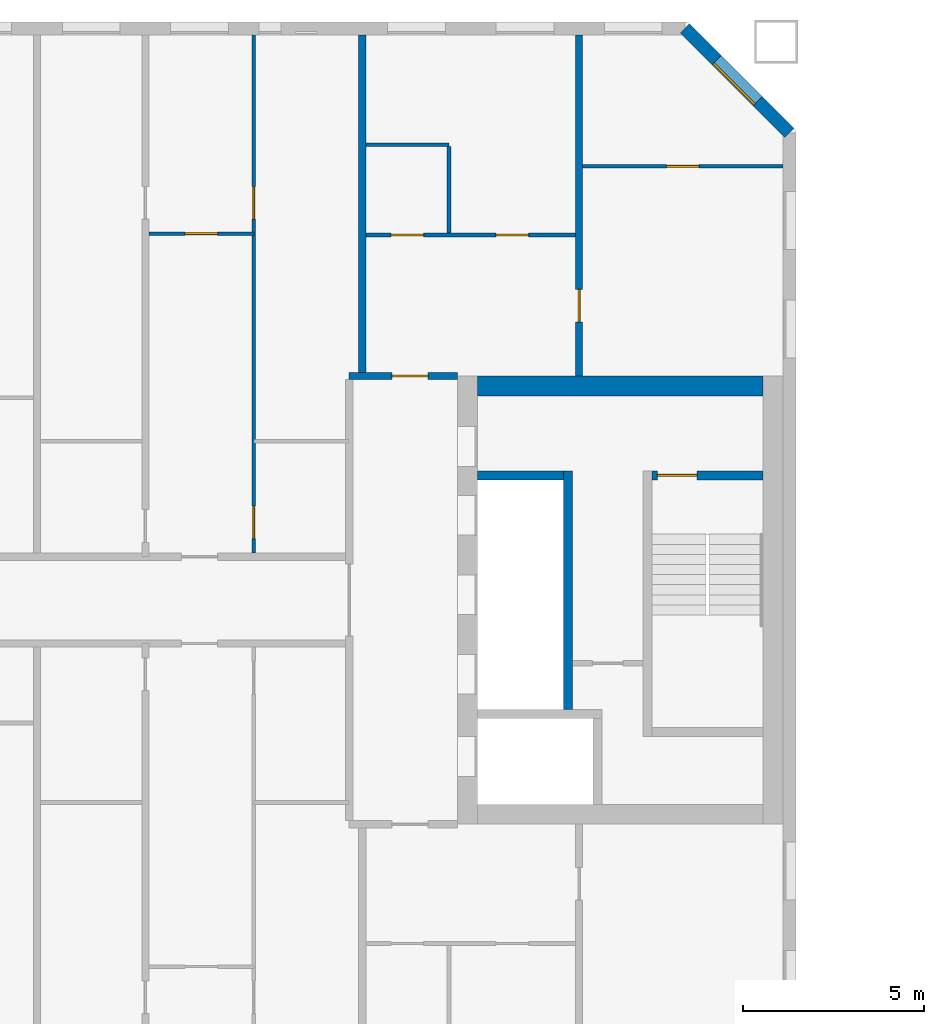
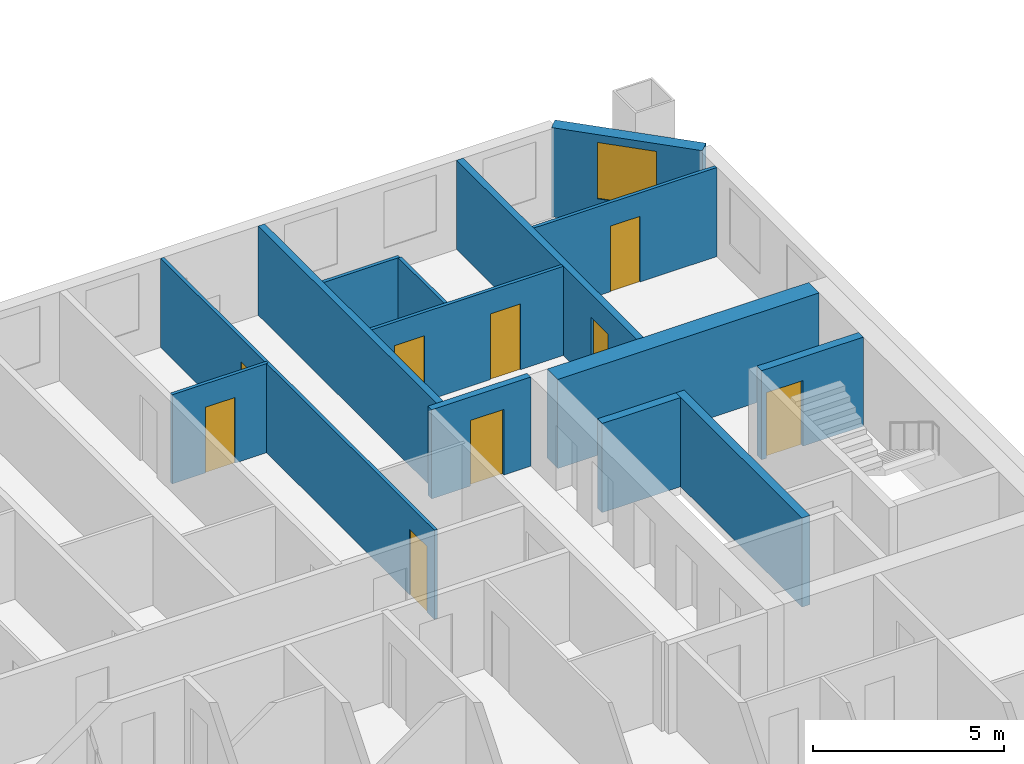
# One storey, part 8 of 16: 14 walls, 9 doors, 1 window, 10 openings.
"""IFC4 building model written with IfcOpenShell, lengths in metres."""

from ifc_helpers import new_model, si_unit, direction, frame, frame_2d, origin, place, context, subcontext, project, spatial, rectangle, extrude, material, layer, layer_set, type_object, element, fill, save


model = new_model("IFC4")

# Units and contexts
model_context = context("Model", 3, precision=1e-05, world=origin(), true_north=direction((0.0, 1.0)))
body_context = subcontext(model_context, "Body", "Model", "MODEL_VIEW")
ifc_project = project(units=[si_unit("LENGTHUNIT", "METRE"), si_unit("AREAUNIT", "SQUARE_METRE"), si_unit("VOLUMEUNIT", "CUBIC_METRE"), si_unit("PLANEANGLEUNIT", "RADIAN"), si_unit("MASSUNIT", "GRAM", prefix="KILO")], contexts=[model_context])

# Site, building, storey
site_placement = place(None, origin())
site = spatial("IfcSite", under=ifc_project, at=site_placement, CompositionType="ELEMENT")
building_placement = place(site_placement, origin())
building = spatial("IfcBuilding", under=site, at=building_placement, Name="Tuart Gate Housing", CompositionType="ELEMENT")
storey_placement = place(building_placement, frame((0.0, 0.0, 129.89990234375)))
storey = spatial("IfcBuildingStorey", under=building, at=storey_placement, Name="L36", CompositionType="ELEMENT", Elevation=129.89990234375)

# Wall, opening, window
ifc_material_1 = material(Name="Brick", Category="masonry")
ifc_layer_1 = layer(ifc_material_1, 0.360107421875)
ifc_layer_set_1 = layer_set([ifc_layer_1], Name="Brick pier and spandrel wall 360")
wall_type_1 = type_object("IfcWallType", Name="Brick pier and spandrel wall 360", PredefinedType="STANDARD", material=ifc_layer_set_1)
wall_1_placement = place(storey_placement, frame((75.820068359375, 82.92529296875, 0.0), z_axis=(0.0, 0.0, 1.0), x_axis=(-0.707106781187, 0.707106781187, 0.0)))
wall_1 = element("IfcWall", 1, at=wall_1_placement, inside=storey, type_object=wall_type_1, Name="External wall A-NE L36", PredefinedType="STANDARD", context=body_context, shape_type="SweptSolid", body=[
    extrude(rectangle(XDim=4.09375, YDim=0.360107421875, at=frame_2d((2.046875, 0.0))), origin(), (0.0, 0.0, 1.0), 2.85009765625),
])
opening_1_placement = place(wall_1_placement, frame((1.2470703125, 0.0, 0.800048828125)))
opening_1 = element("IfcOpeningElement", 2, at=opening_1_placement, cuts=wall_1, Name="Opening W1", PredefinedType="OPENING", context=body_context, shape_type="SweptSolid", body=[
    extrude(rectangle(XDim=1.60009765625, YDim=1.800048828125, at=frame_2d((0.800048828125, 0.89990234375))), frame((0.0, 0.18994140625, 0.0), z_axis=(0.0, -1.0, 0.0), x_axis=(1.0, 0.0, 0.0)), (0.0, 0.0, 1.0), 0.380126953125),
])
ifc_material_2 = material(Name="Aluminium frame with clear glass", Category="aluminium")
window_type = type_object("IfcWindowType", Name="Punched window 1600 x 1800", PartitioningType="SINGLE_PANEL", PredefinedType="WINDOW", material=ifc_material_2)
window_placement = place(opening_1_placement, origin())
window = element("IfcWindow", 3, at=window_placement, inside=storey, type_object=window_type, Name="Window W1", OverallHeight=1.800048828125, OverallWidth=1.60009765625, PartitioningType="SINGLE_PANEL", PredefinedType="WINDOW", context=body_context, shape_type="SweptSolid", body=[
    extrude(rectangle(XDim=1.60009765625, YDim=1.800048828125, at=frame_2d((0.800048828125, 0.89990234375))), frame((0.0, 0.150146484375, 0.0), z_axis=(0.0, -1.0, 0.0), x_axis=(1.0, 0.0, 0.0)), (0.0, 0.0, 1.0), 0.06005859375),
])
fill(opening_1, window)

# Wall
ifc_material_3 = material(Name="Concrete C50", Category="concrete")
ifc_layer_2 = layer(ifc_material_3, 0.25)
ifc_layer_set_2 = layer_set([ifc_layer_2], Name="Core wall 250 C50")
wall_type_2 = type_object("IfcWallType", Name="Core wall 250 C50", PredefinedType="SHEAR", material=ifc_layer_set_2)
wall_2_placement = place(storey_placement, frame((67.18994140625, 73.449951171875, 0.0), z_axis=(0.0, 0.0, 1.0), x_axis=(1.0, 0.0, 0.0)))
element("IfcWall", 4, at=wall_2_placement, inside=storey, type_object=wall_type_2, Name="Core wall AG.4", PredefinedType="SHEAR", context=body_context, shape_type="SweptSolid", body=[
    extrude(rectangle(XDim=2.375, YDim=0.25, at=frame_2d((1.1875, 0.0))), origin(), (0.0, 0.0, 1.0), 2.85009765625),
])

# Wall, opening, door
wall_3_placement = place(storey_placement, frame((72.014892578125, 73.449951171875, 0.0), z_axis=(0.0, 0.0, 1.0), x_axis=(1.0, 0.0, 0.0)))
wall_3 = element("IfcWall", 5, at=wall_3_placement, inside=storey, type_object=wall_type_2, Name="Core wall AG.5", PredefinedType="SHEAR", context=body_context, shape_type="SweptSolid", body=[
    extrude(rectangle(XDim=3.0751953125, YDim=0.25, at=frame_2d((1.53759765625, 0.0))), origin(), (0.0, 0.0, 1.0), 2.85009765625),
])
opening_2_placement = place(wall_3_placement, frame((0.14990234375, 0.0, 0.0)))
opening_2 = element("IfcOpeningElement", 6, at=opening_2_placement, cuts=wall_3, Name="Opening D1313", PredefinedType="OPENING", context=body_context, shape_type="SweptSolid", body=[
    extrude(rectangle(XDim=1.10009765625, YDim=2.10009765625, at=frame_2d((0.550048828125, 1.050048828125))), frame((0.0, 0.135009765625, 0.0), z_axis=(0.0, -1.0, 0.0), x_axis=(1.0, 0.0, 0.0)), (0.0, 0.0, 1.0), 0.27001953125),
])
ifc_material_4 = material(Name="Steel fire door", Category="steel")
door_type_1 = type_object("IfcDoorType", Name="Stair door 1100 x 2100 RH", OperationType="SINGLE_SWING_RIGHT", PredefinedType="DOOR", material=ifc_material_4)
door_1_placement = place(opening_2_placement, frame((1.10009765625, 0.0, 0.0), z_axis=(0.0, 0.0, 1.0), x_axis=(-1.0, 0.0, 0.0)))
door_1 = element("IfcDoor", 7, at=door_1_placement, inside=storey, type_object=door_type_1, Name="Stair door AG.SD", OperationType="SINGLE_SWING_RIGHT", OverallHeight=2.10009765625, OverallWidth=1.10009765625, PredefinedType="DOOR", context=body_context, shape_type="SweptSolid", body=[
    extrude(rectangle(XDim=1.10009765625, YDim=2.10009765625, at=frame_2d((0.550048828125, 1.050048828125))), frame((0.0, 0.025146484375, 0.0), z_axis=(0.0, -1.0, 0.0), x_axis=(1.0, 0.0, 0.0)), (0.0, 0.0, 1.0), 0.050048828125),
])
fill(opening_2, door_1)

# Walls
wall_4_placement = place(storey_placement, frame((69.68994140625, 66.97509765625, 0.0), z_axis=(0.0, 0.0, 1.0), x_axis=(0.0, 1.0, 0.0)))
element("IfcWall", 8, at=wall_4_placement, inside=storey, type_object=wall_type_2, Name="Core wall AG.6", PredefinedType="SHEAR", context=body_context, shape_type="SweptSolid", body=[
    extrude(rectangle(XDim=6.599853515625, YDim=0.25, at=frame_2d((3.2998046875, 0.0))), origin(), (0.0, 0.0, 1.0), 2.85009765625),
])
ifc_material_5 = material(Name="Concrete C50", Category="concrete")
ifc_layer_3 = layer(ifc_material_5, 0.550048828125)
ifc_layer_set_3 = layer_set([ifc_layer_3], Name="Core wall 550 C50")
wall_type_3 = type_object("IfcWallType", Name="Core wall 550 C50", PredefinedType="SHEAR", material=ifc_layer_set_3)
wall_5_placement = place(storey_placement, frame((67.18994140625, 75.925048828125, 0.0), z_axis=(0.0, 0.0, 1.0), x_axis=(1.0, 0.0, 0.0)))
element("IfcWall", 9, at=wall_5_placement, inside=storey, type_object=wall_type_3, Name="Core wall AG north", PredefinedType="SHEAR", context=body_context, shape_type="SweptSolid", body=[
    extrude(rectangle(XDim=7.900146484375, YDim=0.550048828125, at=frame_2d((3.9501953125, 0.0))), origin(), (0.0, 0.0, 1.0), 2.85009765625),
])

# Wall, opening, door
ifc_material_6 = material(Name="Concrete masonry 15 MPa", Category="masonry")
ifc_layer_4 = layer(ifc_material_6, 0.199951171875)
ifc_layer_set_4 = layer_set([ifc_layer_4], Name="Enclosure wall masonry 200")
wall_type_4 = type_object("IfcWallType", Name="Enclosure wall masonry 200", PredefinedType="PARTITIONING", material=ifc_layer_set_4)
wall_6_placement = place(storey_placement, frame((63.639892578125, 76.199951171875, 0.0), z_axis=(0.0, 0.0, 1.0), x_axis=(1.0, 0.0, 0.0)))
wall_6 = element("IfcWall", 10, at=wall_6_placement, inside=storey, type_object=wall_type_4, Name="Enclosure wall masonry 200", PredefinedType="PARTITIONING", context=body_context, shape_type="SweptSolid", body=[
    extrude(rectangle(XDim=3.0, YDim=0.199951171875, at=frame_2d((1.5, 0.0))), origin(), (0.0, 0.0, 1.0), 2.85009765625),
])
opening_3_placement = place(wall_6_placement, frame((1.179931640625, 0.0, 0.0)))
opening_3 = element("IfcOpeningElement", 11, at=opening_3_placement, cuts=wall_6, Name="Opening D1311", PredefinedType="OPENING", context=body_context, shape_type="SweptSolid", body=[
    extrude(rectangle(XDim=1.0, YDim=2.10009765625, at=frame_2d((0.5, 1.050048828125))), frame((0.0, 0.10986328125, 0.0), z_axis=(0.0, -1.0, 0.0), x_axis=(1.0, 0.0, 0.0)), (0.0, 0.0, 1.0), 0.219970703125),
])
ifc_material_7 = material(Name="Timber door leaf in steel frame", Category="steel")
door_type_2 = type_object("IfcDoorType", Name="Flat entrance door 1000", OperationType="SINGLE_SWING_LEFT", PredefinedType="DOOR", material=ifc_material_7)
door_2_placement = place(opening_3_placement, origin())
door_2 = element("IfcDoor", 12, at=door_2_placement, inside=storey, type_object=door_type_2, Name="Flat entrance door", OperationType="SINGLE_SWING_LEFT", OverallHeight=2.10009765625, OverallWidth=1.0, PredefinedType="DOOR", context=body_context, shape_type="SweptSolid", body=[
    extrude(rectangle(XDim=1.0, YDim=2.10009765625, at=frame_2d((0.5, 1.050048828125))), frame((0.0, 0.02490234375, 0.0), z_axis=(0.0, -1.0, 0.0), x_axis=(1.0, 0.0, 0.0)), (0.0, 0.0, 1.0), 0.050048828125),
])
fill(opening_3, door_2)

# Wall, openings, doors
ifc_material_8 = material(Name="Gypsum board on steel studs", Category="steel")
ifc_layer_5 = layer(ifc_material_8, 0.10009765625)
ifc_layer_set_5 = layer_set([ifc_layer_5], Name="Partition 100")
wall_type_5 = type_object("IfcWallType", Name="Partition 100", PredefinedType="PARTITIONING", material=ifc_layer_set_5)
wall_7_placement = place(storey_placement, frame((64.10009765625, 80.10009765625, 0.0), z_axis=(0.0, 0.0, 1.0), x_axis=(1.0, 0.0, 0.0)))
wall_7 = element("IfcWall", 13, at=wall_7_placement, inside=storey, type_object=wall_type_5, Name="Partition 100", PredefinedType="PARTITIONING", context=body_context, shape_type="SweptSolid", body=[
    extrude(rectangle(XDim=5.7998046875, YDim=0.10009765625, at=frame_2d((2.89990234375, 0.0))), origin(), (0.0, 0.0, 1.0), 2.85009765625),
])
opening_4_placement = place(wall_7_placement, frame((3.60009765625, 0.0, 0.0)))
opening_4 = element("IfcOpeningElement", 14, at=opening_4_placement, cuts=wall_7, Name="Opening D1297", PredefinedType="OPENING", context=body_context, shape_type="SweptSolid", body=[
    extrude(rectangle(XDim=0.89990234375, YDim=2.10009765625, at=frame_2d((0.449951171875, 1.050048828125))), frame((0.0, 0.06005859375, 0.0), z_axis=(0.0, -1.0, 0.0), x_axis=(1.0, 0.0, 0.0)), (0.0, 0.0, 1.0), 0.1201171875),
])
opening_5_placement = place(wall_7_placement, frame((0.699951171875, 0.0, 0.0)))
opening_5 = element("IfcOpeningElement", 15, at=opening_5_placement, cuts=wall_7, Name="Opening D1296", PredefinedType="OPENING", context=body_context, shape_type="SweptSolid", body=[
    extrude(rectangle(XDim=0.89990234375, YDim=2.10009765625, at=frame_2d((0.449951171875, 1.050048828125))), frame((0.0, 0.06005859375, 0.0), z_axis=(0.0, -1.0, 0.0), x_axis=(1.0, 0.0, 0.0)), (0.0, 0.0, 1.0), 0.1201171875),
])
ifc_material_9 = material(Name="Timber door leaf in steel frame", Category="steel")
door_type_3 = type_object("IfcDoorType", Name="Bathroom door 900 RH", OperationType="SINGLE_SWING_RIGHT", PredefinedType="DOOR", material=ifc_material_9)
door_3_placement = place(opening_5_placement, origin())
door_3 = element("IfcDoor", 16, at=door_3_placement, inside=storey, type_object=door_type_3, Name="Bathroom door", OperationType="SINGLE_SWING_RIGHT", OverallHeight=2.10009765625, OverallWidth=0.89990234375, PredefinedType="DOOR", context=body_context, shape_type="SweptSolid", body=[
    extrude(rectangle(XDim=0.89990234375, YDim=2.10009765625, at=frame_2d((0.449951171875, 1.050048828125))), frame((0.0, 0.02490234375, 0.0), z_axis=(0.0, -1.0, 0.0), x_axis=(1.0, 0.0, 0.0)), (0.0, 0.0, 1.0), 0.050048828125),
])
fill(opening_5, door_3)
ifc_material_10 = material(Name="Timber door leaf in steel frame", Category="steel")
door_type_4 = type_object("IfcDoorType", Name="Internal door 900", OperationType="SINGLE_SWING_LEFT", PredefinedType="DOOR", material=ifc_material_10)
door_4_placement = place(opening_4_placement, origin())
door_4 = element("IfcDoor", 17, at=door_4_placement, inside=storey, type_object=door_type_4, Name="Internal door", OperationType="SINGLE_SWING_LEFT", OverallHeight=2.10009765625, OverallWidth=0.89990234375, PredefinedType="DOOR", context=body_context, shape_type="SweptSolid", body=[
    extrude(rectangle(XDim=0.89990234375, YDim=2.10009765625, at=frame_2d((0.449951171875, 1.050048828125))), frame((0.0, 0.02490234375, 0.0), z_axis=(0.0, -1.0, 0.0), x_axis=(1.0, 0.0, 0.0)), (0.0, 0.0, 1.0), 0.050048828125),
])
fill(opening_4, door_4)

# Wall, opening, door
wall_8_placement = place(storey_placement, frame((58.10009765625, 80.139892578125, 0.0), z_axis=(0.0, 0.0, 1.0), x_axis=(1.0, 0.0, 0.0)))
wall_8 = element("IfcWall", 18, at=wall_8_placement, inside=storey, type_object=wall_type_5, Name="Partition 100", PredefinedType="PARTITIONING", context=body_context, shape_type="SweptSolid", body=[
    extrude(rectangle(XDim=2.89990234375, YDim=0.10009765625, at=frame_2d((1.449951171875, 0.0))), origin(), (0.0, 0.0, 1.0), 2.85009765625),
])
opening_6_placement = place(wall_8_placement, frame((1.0, 0.0, 0.0)))
opening_6 = element("IfcOpeningElement", 19, at=opening_6_placement, cuts=wall_8, Name="Opening D1293", PredefinedType="OPENING", context=body_context, shape_type="SweptSolid", body=[
    extrude(rectangle(XDim=0.89990234375, YDim=2.10009765625, at=frame_2d((0.449951171875, 1.050048828125))), frame((0.0, 0.06005859375, 0.0), z_axis=(0.0, -1.0, 0.0), x_axis=(1.0, 0.0, 0.0)), (0.0, 0.0, 1.0), 0.1201171875),
])
door_5_placement = place(opening_6_placement, frame((0.89990234375, 0.0, 0.0), z_axis=(0.0, 0.0, 1.0), x_axis=(-1.0, 0.0, 0.0)))
door_5 = element("IfcDoor", 20, at=door_5_placement, inside=storey, type_object=door_type_4, Name="Internal door", OperationType="SINGLE_SWING_LEFT", OverallHeight=2.10009765625, OverallWidth=0.89990234375, PredefinedType="DOOR", context=body_context, shape_type="SweptSolid", body=[
    extrude(rectangle(XDim=0.89990234375, YDim=2.10009765625, at=frame_2d((0.449951171875, 1.050048828125))), frame((0.0, 0.025146484375, 0.0), z_axis=(0.0, -1.0, 0.0), x_axis=(1.0, 0.0, 0.0)), (0.0, 0.0, 1.0), 0.050048828125),
])
fill(opening_6, door_5)

wall_9_placement = place(storey_placement, frame((70.10009765625, 82.0, 0.0), z_axis=(0.0, 0.0, 1.0), x_axis=(1.0, 0.0, 0.0)))
wall_9 = element("IfcWall", 21, at=wall_9_placement, inside=storey, type_object=wall_type_5, Name="Partition 100", PredefinedType="PARTITIONING", context=body_context, shape_type="SweptSolid", body=[
    extrude(rectangle(XDim=5.539794921875, YDim=0.10009765625, at=frame_2d((2.77001953125, 0.0))), origin(), (0.0, 0.0, 1.0), 2.85009765625),
])
opening_7_placement = place(wall_9_placement, frame((2.320068359375, 0.0, 0.0)))
opening_7 = element("IfcOpeningElement", 22, at=opening_7_placement, cuts=wall_9, Name="Opening D1290", PredefinedType="OPENING", context=body_context, shape_type="SweptSolid", body=[
    extrude(rectangle(XDim=0.89990234375, YDim=2.10009765625, at=frame_2d((0.449951171875, 1.050048828125))), frame((0.0, 0.06005859375, 0.0), z_axis=(0.0, -1.0, 0.0), x_axis=(1.0, 0.0, 0.0)), (0.0, 0.0, 1.0), 0.1201171875),
])
ifc_material_11 = material(Name="Timber door leaf in steel frame", Category="steel")
door_type_5 = type_object("IfcDoorType", Name="Internal door 900 RH", OperationType="SINGLE_SWING_RIGHT", PredefinedType="DOOR", material=ifc_material_11)
door_6_placement = place(opening_7_placement, origin())
door_6 = element("IfcDoor", 23, at=door_6_placement, inside=storey, type_object=door_type_5, Name="Internal door", OperationType="SINGLE_SWING_RIGHT", OverallHeight=2.10009765625, OverallWidth=0.89990234375, PredefinedType="DOOR", context=body_context, shape_type="SweptSolid", body=[
    extrude(rectangle(XDim=0.89990234375, YDim=2.10009765625, at=frame_2d((0.449951171875, 1.050048828125))), frame((0.0, 0.02490234375, 0.0), z_axis=(0.0, -1.0, 0.0), x_axis=(1.0, 0.0, 0.0)), (0.0, 0.0, 1.0), 0.050048828125),
])
fill(opening_7, door_6)

# Wall
wall_10_placement = place(storey_placement, frame((64.10009765625, 82.60009765625, 0.0), z_axis=(0.0, 0.0, 1.0), x_axis=(1.0, 0.0, 0.0)))
element("IfcWall", 24, at=wall_10_placement, inside=storey, type_object=wall_type_5, Name="Partition 100", PredefinedType="PARTITIONING", context=body_context, shape_type="SweptSolid", body=[
    extrude(rectangle(XDim=2.2998046875, YDim=0.10009765625, at=frame_2d((1.14990234375, 0.0))), origin(), (0.0, 0.0, 1.0), 2.85009765625),
])

# Wall, openings, doors
wall_11_placement = place(storey_placement, frame((61.0, 71.300048828125, 0.0), z_axis=(0.0, 0.0, 1.0), x_axis=(0.0, 1.0, 0.0)))
wall_11 = element("IfcWall", 25, at=wall_11_placement, inside=storey, type_object=wall_type_5, Name="Partition 100", PredefinedType="PARTITIONING", context=body_context, shape_type="SweptSolid", body=[
    extrude(rectangle(XDim=14.33984375, YDim=0.10009765625, at=frame_2d((7.169921875, 0.0))), origin(), (0.0, 0.0, 1.0), 2.85009765625),
])
opening_8_placement = place(wall_11_placement, frame((9.239990234375, 0.0, 0.0)))
opening_8 = element("IfcOpeningElement", 26, at=opening_8_placement, cuts=wall_11, Name="Opening D1304", PredefinedType="OPENING", context=body_context, shape_type="SweptSolid", body=[
    extrude(rectangle(XDim=0.89990234375, YDim=2.10009765625, at=frame_2d((0.449951171875, 1.050048828125))), frame((0.0, 0.06005859375, 0.0), z_axis=(0.0, -1.0, 0.0), x_axis=(1.0, 0.0, 0.0)), (0.0, 0.0, 1.0), 0.1201171875),
])
opening_9_placement = place(wall_11_placement, frame((0.39990234375, 0.0, 0.0)))
opening_9 = element("IfcOpeningElement", 27, at=opening_9_placement, cuts=wall_11, Name="Opening D1303", PredefinedType="OPENING", context=body_context, shape_type="SweptSolid", body=[
    extrude(rectangle(XDim=0.89990234375, YDim=2.10009765625, at=frame_2d((0.449951171875, 1.050048828125))), frame((0.0, 0.06005859375, 0.0), z_axis=(0.0, -1.0, 0.0), x_axis=(1.0, 0.0, 0.0)), (0.0, 0.0, 1.0), 0.1201171875),
])
door_7_placement = place(opening_9_placement, frame((0.89990234375, 0.0, 0.0), z_axis=(0.0, 0.0, 1.0), x_axis=(-1.0, 0.0, 0.0)))
door_7 = element("IfcDoor", 28, at=door_7_placement, inside=storey, type_object=door_type_3, Name="Bathroom door", OperationType="SINGLE_SWING_RIGHT", OverallHeight=2.10009765625, OverallWidth=0.89990234375, PredefinedType="DOOR", context=body_context, shape_type="SweptSolid", body=[
    extrude(rectangle(XDim=0.89990234375, YDim=2.10009765625, at=frame_2d((0.449951171875, 1.050048828125))), frame((0.0, 0.025146484375, 0.0), z_axis=(0.0, -1.0, 0.0), x_axis=(1.0, 0.0, 0.0)), (0.0, 0.0, 1.0), 0.050048828125),
])
fill(opening_9, door_7)
door_8_placement = place(opening_8_placement, frame((0.89990234375, 0.0, 0.0), z_axis=(0.0, 0.0, 1.0), x_axis=(-1.0, 0.0, 0.0)))
door_8 = element("IfcDoor", 29, at=door_8_placement, inside=storey, type_object=door_type_4, Name="Internal door", OperationType="SINGLE_SWING_LEFT", OverallHeight=2.10009765625, OverallWidth=0.89990234375, PredefinedType="DOOR", context=body_context, shape_type="SweptSolid", body=[
    extrude(rectangle(XDim=0.89990234375, YDim=2.10009765625, at=frame_2d((0.449951171875, 1.050048828125))), frame((0.0, 0.025146484375, 0.0), z_axis=(0.0, -1.0, 0.0), x_axis=(1.0, 0.0, 0.0)), (0.0, 0.0, 1.0), 0.050048828125),
])
fill(opening_8, door_8)

# Walls
wall_12_placement = place(storey_placement, frame((66.39990234375, 80.14990234375, 0.0), z_axis=(0.0, 0.0, 1.0), x_axis=(0.0, 1.0, 0.0)))
element("IfcWall", 30, at=wall_12_placement, inside=storey, type_object=wall_type_5, Name="Partition 100", PredefinedType="PARTITIONING", context=body_context, shape_type="SweptSolid", body=[
    extrude(rectangle(XDim=2.400146484375, YDim=0.10009765625, at=frame_2d((1.2001953125, 0.0))), origin(), (0.0, 0.0, 1.0), 2.85009765625),
])
ifc_material_12 = material(Name="Concrete C40", Category="concrete")
ifc_layer_6 = layer(ifc_material_12, 0.199951171875)
ifc_layer_set_6 = layer_set([ifc_layer_6], Name="Party wall concrete C40 200")
wall_type_6 = type_object("IfcWallType", Name="Party wall concrete C40 200", PredefinedType="SOLIDWALL", material=ifc_layer_set_6)
wall_13_placement = place(storey_placement, frame((64.0, 76.199951171875, 0.0), z_axis=(0.0, 0.0, 1.0), x_axis=(0.0, 1.0, 0.0)))
element("IfcWall", 31, at=wall_13_placement, inside=storey, type_object=wall_type_6, Name="Party wall concrete C40 200", PredefinedType="SOLIDWALL", context=body_context, shape_type="SweptSolid", body=[
    extrude(rectangle(XDim=9.43994140625, YDim=0.199951171875, at=frame_2d((4.719970703125, 0.0))), origin(), (0.0, 0.0, 1.0), 2.85009765625),
])

# Wall, opening, door
wall_14_placement = place(storey_placement, frame((70.0, 76.199951171875, 0.0), z_axis=(0.0, 0.0, 1.0), x_axis=(0.0, 1.0, 0.0)))
wall_14 = element("IfcWall", 32, at=wall_14_placement, inside=storey, type_object=wall_type_6, Name="Party wall concrete C40 200", PredefinedType="SOLIDWALL", context=body_context, shape_type="SweptSolid", body=[
    extrude(rectangle(XDim=9.43994140625, YDim=0.199951171875, at=frame_2d((4.719970703125, 0.0))), origin(), (0.0, 0.0, 1.0), 2.85009765625),
])
opening_10_placement = place(wall_14_placement, frame((1.5, 0.0, 0.0)))
opening_10 = element("IfcOpeningElement", 33, at=opening_10_placement, cuts=wall_14, Name="Opening D1291", PredefinedType="OPENING", context=body_context, shape_type="SweptSolid", body=[
    extrude(rectangle(XDim=0.89990234375, YDim=2.10009765625, at=frame_2d((0.449951171875, 1.050048828125))), frame((0.0, 0.10986328125, 0.0), z_axis=(0.0, -1.0, 0.0), x_axis=(1.0, 0.0, 0.0)), (0.0, 0.0, 1.0), 0.219970703125),
])
door_9_placement = place(opening_10_placement, origin())
door_9 = element("IfcDoor", 34, at=door_9_placement, inside=storey, type_object=door_type_4, Name="Internal door", OperationType="SINGLE_SWING_LEFT", OverallHeight=2.10009765625, OverallWidth=0.89990234375, PredefinedType="DOOR", context=body_context, shape_type="SweptSolid", body=[
    extrude(rectangle(XDim=0.89990234375, YDim=2.10009765625, at=frame_2d((0.449951171875, 1.050048828125))), frame((0.0, 0.02490234375, 0.0), z_axis=(0.0, -1.0, 0.0), x_axis=(1.0, 0.0, 0.0)), (0.0, 0.0, 1.0), 0.050048828125),
])
fill(opening_10, door_9)

save(model, "model.ifc")
